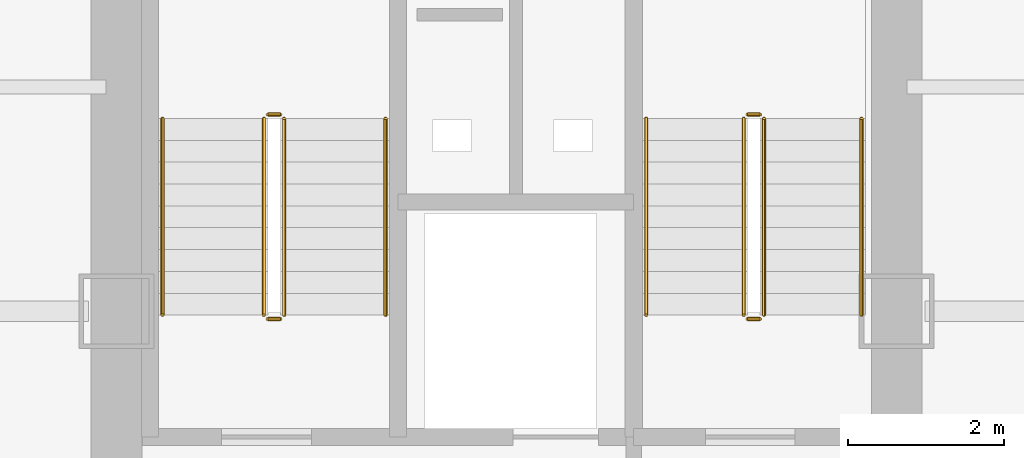
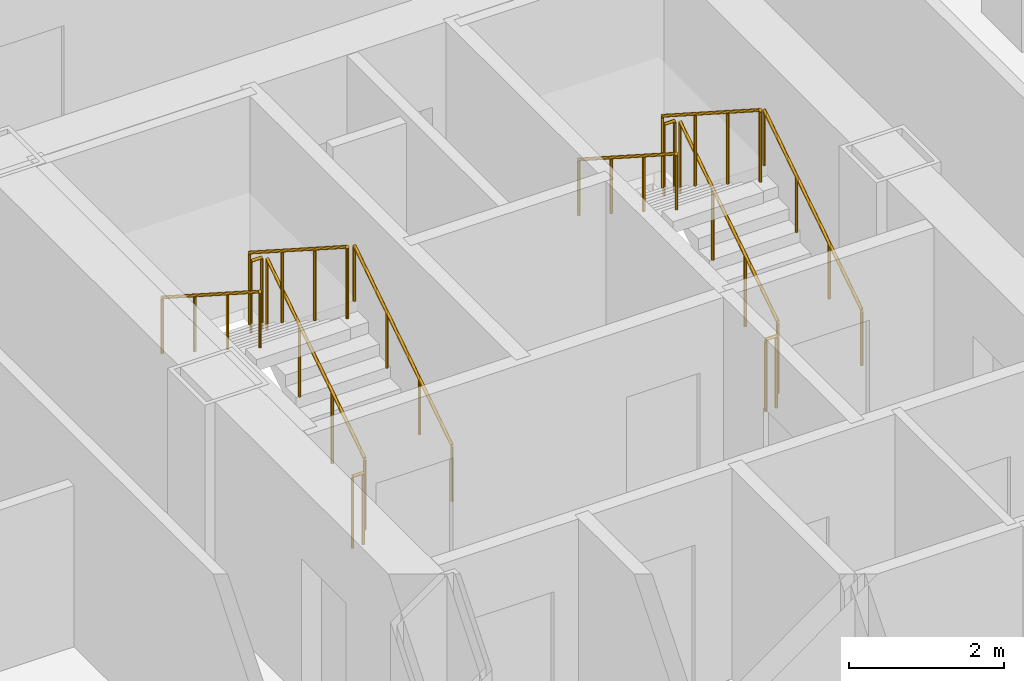
# One storey, part 20 of 21: 12 railings.
"""IFC4 building model written with IfcOpenShell, lengths in metres."""

import ifcopenshell
import ifcopenshell.guid

model = None  # the IFC model being written
_history = None  # IfcOwnerHistory: only IFC2X3 demands one
_inside = {}  # id of a spatial element -> (the spatial element, [elements in it])
_under = {}  # id of a project, library or spatial element -> (it, [spatial elements below it])
_declared = {}  # id of a project -> (the project, [libraries it declares])
_typed = {}  # id of a type object -> (the type object, [elements of that type])
_made_of = {}  # id of a material, layer set ... -> (it, [elements and type objects made of it])


def new_model(schema):
    """Start an empty IFC model of exactly this schema.

    Asked for "IFC4X3", IfcOpenShell would pick the latest addendum, in which some entities
    have other attributes; the version numbers below select the first issue.
    IFC2X3 requires an IfcOwnerHistory on every rooted entity: one is made here for all.
    """
    global model, _history
    if schema == "IFC4X3":
        model = ifcopenshell.file(schema_version=(4, 3, 0, 0))
    else:
        model = ifcopenshell.file(schema=schema)
    _inside.clear()
    _under.clear()
    _declared.clear()
    _typed.clear()
    _made_of.clear()
    _history = None
    if model.schema == "IFC2X3":
        org = make("IfcOrganization", Name="unknown")
        user = make(
            "IfcPersonAndOrganization",
            ThePerson=make("IfcPerson", FamilyName="unknown"),
            TheOrganization=org,
        )
        app = make(
            "IfcApplication",
            ApplicationDeveloper=org,
            Version="unknown",
            ApplicationFullName="unknown",
            ApplicationIdentifier="unknown",
        )
        _history = make(
            "IfcOwnerHistory",
            OwningUser=user,
            OwningApplication=app,
            ChangeAction="ADDED",
            CreationDate=0,
        )
    return model


def make(cls, **values):
    """One entity of the class cls with the attributes given. An attribute that is None is left unset."""
    return model.create_entity(
        cls, **{name: value for name, value in values.items() if value is not None}
    )


def rooted(cls, **values):
    """An entity with a GlobalId (a new one), such as an element, a storey or a relation."""
    return make(cls, GlobalId=ifcopenshell.guid.new(), OwnerHistory=_history, **values)


def si_unit(unit_type, name, prefix=None):
    """IfcSIUnit, for example si_unit("LENGTHUNIT", "METRE", prefix="MILLI")."""
    return make("IfcSIUnit", UnitType=unit_type, Prefix=prefix, Name=name)


def assignment(units):
    """IfcUnitAssignment: the units of a project."""
    return None if units is None else make("IfcUnitAssignment", Units=units)


def point(xyz):
    """IfcCartesianPoint."""
    return None if xyz is None else make("IfcCartesianPoint", Coordinates=xyz)


def direction(xyz):
    """IfcDirection."""
    return None if xyz is None else make("IfcDirection", DirectionRatios=xyz)


def frame(location, z_axis=None, x_axis=None):
    """IfcAxis2Placement3D, a coordinate frame: its origin and axes. An axis left out is left unset."""
    return make(
        "IfcAxis2Placement3D",
        Location=point(location),
        Axis=direction(z_axis),
        RefDirection=direction(x_axis),
    )


def frame_2d(location, x_axis=None):
    """IfcAxis2Placement2D, a coordinate frame in the plane: its origin and x axis."""
    return make(
        "IfcAxis2Placement2D", Location=point(location), RefDirection=direction(x_axis)
    )


def origin():
    """The frame at (0, 0, 0) with its axes left unset."""
    return frame((0.0, 0.0, 0.0))


def origin_2d():
    """The frame at (0, 0) in the plane with its x axis left unset."""
    return frame_2d((0.0, 0.0))


def place(relative_to, where):
    """IfcLocalPlacement: puts the frame where relative to a parent placement (None: the world)."""
    return make(
        "IfcLocalPlacement", PlacementRelTo=relative_to, RelativePlacement=where
    )


def context(
    kind, dimensions, precision=None, world=None, true_north=None, identifier=None
):
    """IfcGeometricRepresentationContext, for example the 3D "Model" context."""
    return make(
        "IfcGeometricRepresentationContext",
        ContextIdentifier=identifier,
        ContextType=kind,
        CoordinateSpaceDimension=dimensions,
        Precision=precision,
        WorldCoordinateSystem=world,
        TrueNorth=true_north,
    )


def subcontext(parent, identifier, kind, view, scale=None):
    """IfcGeometricRepresentationSubContext, for example "Body" below "Model"."""
    return make(
        "IfcGeometricRepresentationSubContext",
        ContextIdentifier=identifier,
        ContextType=kind,
        ParentContext=parent,
        TargetScale=scale,
        TargetView=view,
    )


def project(units=None, contexts=None):
    """IfcProject with its units and contexts."""
    return rooted(
        "IfcProject",
        Name="project",
        RepresentationContexts=contexts,
        UnitsInContext=assignment(units),
    )


def spatial(cls, under=None, at=None, **own):
    """A site, building, storey or space (cls), placed at a placement, below another one or the project."""
    s = rooted(cls, ObjectPlacement=at, **own)
    if under is not None:
        _under.setdefault(under.id(), (under, []))[1].append(s)
    return s


def profile(cls, at=None, kind="AREA", **sizes):
    """A parametric profile (cls). Its sizes go by their IFC names, for example OverallWidth=200.0."""
    return make(cls, ProfileType=kind, Position=at, **sizes)


def circle(**sizes):
    """IfcCircleProfileDef."""
    return profile("IfcCircleProfileDef", **sizes)


def extrude(swept, where, along, depth):
    """IfcExtrudedAreaSolid: the profile swept, set in the frame where, extruded along a direction by depth."""
    return make(
        "IfcExtrudedAreaSolid",
        SweptArea=swept,
        Position=where,
        ExtrudedDirection=direction(along),
        Depth=depth,
    )


def shape(context_of_items, identifier, shape_type, items):
    """IfcShapeRepresentation: the items that make up one representation, for example the "Body"."""
    return make(
        "IfcShapeRepresentation",
        ContextOfItems=context_of_items,
        RepresentationIdentifier=identifier,
        RepresentationType=shape_type,
        Items=items,
    )


def material(Name=None, Category=None):
    """IfcMaterial."""
    return make("IfcMaterial", Name=Name, Category=Category)


def made_of(thing, what):
    """Note that an element or type object is made of a material, layer set ...; save() writes the relation."""
    if what is not None:
        _made_of.setdefault(what.id(), (what, []))[1].append(thing)
    return thing


def type_object(cls, material=None, **own):
    """A type object (cls), such as IfcWallType, which elements share."""
    return made_of(rooted(cls, **own), material)


def element(
    cls,
    number,
    at=None,
    inside=None,
    cuts=None,
    type_object=None,
    material=None,
    context=None,
    identifier="Body",
    shape_type=None,
    held_by="IfcProductDefinitionShape",
    body=None,
    shapes=None,
    **own,
):
    """One element of the class cls, such as IfcWall. Its Tag is "e" and its number.

    at: its placement. inside: the storey or other place that contains it. cuts: it is an
    opening in that element (IfcRelVoidsElement). A single representation is given by context,
    identifier, shape_type and body (its items); several are given by shapes. held_by: the class
    of the entity that holds the representations. save() writes the other relations.
    """
    e = rooted(cls, Tag="e%d" % number, ObjectPlacement=at, **own)
    if body is not None:
        shapes = [shape(context, identifier, shape_type, body)]
    if shapes is not None:
        e.Representation = make(held_by, Representations=shapes)
    if inside is not None:
        _inside.setdefault(inside.id(), (inside, []))[1].append(e)
    if cuts is not None:
        rooted(
            "IfcRelVoidsElement", RelatingBuildingElement=cuts, RelatedOpeningElement=e
        )
    if type_object is not None:
        _typed.setdefault(type_object.id(), (type_object, []))[1].append(e)
    return made_of(e, material)


def aggregate(whole, parts):
    """IfcRelAggregates: a whole, such as a stair, and the parts it consists of."""
    return rooted("IfcRelAggregates", RelatingObject=whole, RelatedObjects=parts)


def save(model, path):
    """Write the relations noted so far, then the file.

    IfcRelAggregates (storeys below a building ...), IfcRelContainedInSpatialStructure (elements
    in a storey), IfcRelDefinesByType, IfcRelAssociatesMaterial and IfcRelDeclares: one each for
    every whole, place, type object, material and project.
    """
    for whole, parts in _under.values():
        aggregate(whole, parts)
    for where, things in _inside.values():
        rooted(
            "IfcRelContainedInSpatialStructure",
            RelatedElements=things,
            RelatingStructure=where,
        )
    for kind, things in _typed.values():
        rooted("IfcRelDefinesByType", RelatedObjects=things, RelatingType=kind)
    for what, things in _made_of.values():
        rooted("IfcRelAssociatesMaterial", RelatedObjects=things, RelatingMaterial=what)
    for by, libraries in _declared.values():
        rooted("IfcRelDeclares", RelatingContext=by, RelatedDefinitions=libraries)
    model.write(path)


model = new_model("IFC4")

# Units and contexts
model_context = context("Model", 3, precision=1e-05, world=origin(), true_north=direction((0.0, 1.0)))
body_context = subcontext(model_context, "Body", "Model", "MODEL_VIEW")
ifc_project = project(units=[si_unit("LENGTHUNIT", "METRE"), si_unit("AREAUNIT", "SQUARE_METRE"), si_unit("VOLUMEUNIT", "CUBIC_METRE"), si_unit("PLANEANGLEUNIT", "RADIAN"), si_unit("MASSUNIT", "GRAM", prefix="KILO")], contexts=[model_context])

# Site, building, storey
site_placement = place(None, origin())
site = spatial("IfcSite", under=ifc_project, at=site_placement, CompositionType="ELEMENT")
building_placement = place(site_placement, origin())
building = spatial("IfcBuilding", under=site, at=building_placement, Name="Kolveth Station Tower", CompositionType="ELEMENT")
storey_placement = place(building_placement, frame((0.0, 0.0, 33.300048828125)))
storey = spatial("IfcBuildingStorey", under=building, at=storey_placement, Name="L08", CompositionType="ELEMENT", Elevation=33.300048828125)

# Railings
ifc_material_1 = material(Name="Painted Steel S355 balustrade", Category="steel")
railing_type_1 = type_object("IfcRailingType", Name="Guard_GR2", PredefinedType="BALUSTRADE", material=ifc_material_1)
railing_1_placement = place(storey_placement, frame((20.64990234375, 22.949951171875, 0.179931640625)))
element("IfcRailing", 1, at=railing_1_placement, inside=storey, type_object=railing_type_1, Name="L08 ST1 stair guard 1", PredefinedType="BALUSTRADE", context=body_context, shape_type="SweptSolid", body=[
    extrude(circle(Radius=0.02392578125, at=origin_2d()), frame((0.0, 0.0, 1.1259765625), z_axis=(0.0, 0.841162588446, 0.540782303519), x_axis=(-1.0, 0.0, 0.0)), (0.0, 0.0, 1.0), 2.995849609375),
    extrude(circle(Radius=0.02099609375, at=origin_2d()), origin(), (0.0, 0.0, 1.0), 1.101806640625),
    extrude(circle(Radius=0.02099609375, at=origin_2d()), frame((0.0, 0.840087890625, 0.5400390625)), (0.0, 0.0, 1.0), 1.101806640625),
    extrude(circle(Radius=0.02099609375, at=origin_2d()), frame((0.0, 1.679931640625, 1.080078125)), (0.0, 0.0, 1.0), 1.101806640625),
    extrude(circle(Radius=0.02099609375, at=origin_2d()), frame((0.0, 2.52001953125, 1.6201171875)), (0.0, 0.0, 1.0), 1.101806640625),
])
railing_2_placement = place(storey_placement, frame((20.60009765625, 25.52001953125, 1.800048828125)))
element("IfcRailing", 2, at=railing_2_placement, inside=storey, type_object=railing_type_1, Name="L08 ST1 stair guard 2", PredefinedType="BALUSTRADE", context=body_context, shape_type="SweptSolid", body=[
    extrude(circle(Radius=0.02392578125, at=origin_2d()), frame((0.0, 0.0, 1.1259765625), z_axis=(-1.0, 0.0, 0.0), x_axis=(0.0, -1.0, 0.0)), (0.0, 0.0, 1.0), 0.16015625),
    extrude(circle(Radius=0.02099609375, at=origin_2d()), origin(), (0.0, 0.0, 1.0), 1.101806640625),
    extrude(circle(Radius=0.02099609375, at=origin_2d()), frame((-0.16015625, 0.0, 0.0)), (0.0, 0.0, 1.0), 1.101806640625),
])
railing_3_placement = place(storey_placement, frame((20.389892578125, 25.469970703125, 1.97998046875)))
element("IfcRailing", 3, at=railing_3_placement, inside=storey, type_object=railing_type_1, Name="L08 ST1 stair guard 3", PredefinedType="BALUSTRADE", context=body_context, shape_type="SweptSolid", body=[
    extrude(circle(Radius=0.02392578125, at=origin_2d()), frame((0.0, 0.0, 1.1259765625), z_axis=(0.0, -0.841199657755, 0.540724639528), x_axis=(1.0, 0.0, 0.0)), (0.0, 0.0, 1.0), 2.995849609375),
    extrude(circle(Radius=0.02099609375, at=origin_2d()), origin(), (0.0, 0.0, 1.0), 1.101806640625),
    extrude(circle(Radius=0.02099609375, at=origin_2d()), frame((0.0, -0.840087890625, 0.5400390625)), (0.0, 0.0, 1.0), 1.101806640625),
    extrude(circle(Radius=0.02099609375, at=origin_2d()), frame((0.0, -1.679931640625, 1.079833984375)), (0.0, 0.0, 1.0), 1.101806640625),
    extrude(circle(Radius=0.02099609375, at=origin_2d()), frame((0.0, -2.52001953125, 1.619873046875)), (0.0, 0.0, 1.0), 1.101806640625),
])
railing_4_placement = place(storey_placement, frame((20.60009765625, 22.89990234375, 0.0)))
element("IfcRailing", 4, at=railing_4_placement, inside=storey, type_object=railing_type_1, Name="L08 ST1 stair guard 4", PredefinedType="BALUSTRADE", context=body_context, shape_type="SweptSolid", body=[
    extrude(circle(Radius=0.02392578125, at=origin_2d()), frame((0.0, 0.0, 1.1259765625), z_axis=(-1.0, 0.0, 0.0), x_axis=(0.0, -1.0, 0.0)), (0.0, 0.0, 1.0), 0.16015625),
    extrude(circle(Radius=0.02099609375, at=origin_2d()), origin(), (0.0, 0.0, 1.0), 1.101806640625),
    extrude(circle(Radius=0.02099609375, at=origin_2d()), frame((-0.16015625, 0.0, 0.0)), (0.0, 0.0, 1.0), 1.101806640625),
])
railing_5_placement = place(storey_placement, frame((26.800048828125, 22.949951171875, 0.179931640625)))
element("IfcRailing", 5, at=railing_5_placement, inside=storey, type_object=railing_type_1, Name="L08 ST2 stair guard 1", PredefinedType="BALUSTRADE", context=body_context, shape_type="SweptSolid", body=[
    extrude(circle(Radius=0.02392578125, at=origin_2d()), frame((0.0, 0.0, 1.1259765625), z_axis=(0.0, 0.841162588446, 0.540782303519), x_axis=(-1.0, 0.0, 0.0)), (0.0, 0.0, 1.0), 2.995849609375),
    extrude(circle(Radius=0.02099609375, at=origin_2d()), origin(), (0.0, 0.0, 1.0), 1.101806640625),
    extrude(circle(Radius=0.02099609375, at=origin_2d()), frame((0.0, 0.840087890625, 0.5400390625)), (0.0, 0.0, 1.0), 1.101806640625),
    extrude(circle(Radius=0.02099609375, at=origin_2d()), frame((0.0, 1.679931640625, 1.080078125)), (0.0, 0.0, 1.0), 1.101806640625),
    extrude(circle(Radius=0.02099609375, at=origin_2d()), frame((0.0, 2.52001953125, 1.6201171875)), (0.0, 0.0, 1.0), 1.101806640625),
])
railing_6_placement = place(storey_placement, frame((26.75, 25.52001953125, 1.800048828125)))
element("IfcRailing", 6, at=railing_6_placement, inside=storey, type_object=railing_type_1, Name="L08 ST2 stair guard 2", PredefinedType="BALUSTRADE", context=body_context, shape_type="SweptSolid", body=[
    extrude(circle(Radius=0.02392578125, at=origin_2d()), frame((0.0, 0.0, 1.1259765625), z_axis=(-1.0, 0.0, 0.0), x_axis=(0.0, -1.0, 0.0)), (0.0, 0.0, 1.0), 0.159912109375),
    extrude(circle(Radius=0.02099609375, at=origin_2d()), origin(), (0.0, 0.0, 1.0), 1.101806640625),
    extrude(circle(Radius=0.02099609375, at=origin_2d()), frame((-0.159912109375, 0.0, 0.0)), (0.0, 0.0, 1.0), 1.101806640625),
])
railing_7_placement = place(storey_placement, frame((26.5400390625, 25.469970703125, 1.97998046875)))
element("IfcRailing", 7, at=railing_7_placement, inside=storey, type_object=railing_type_1, Name="L08 ST2 stair guard 3", PredefinedType="BALUSTRADE", context=body_context, shape_type="SweptSolid", body=[
    extrude(circle(Radius=0.02392578125, at=origin_2d()), frame((0.0, 0.0, 1.1259765625), z_axis=(0.0, -0.841199657755, 0.540724639528), x_axis=(1.0, 0.0, 0.0)), (0.0, 0.0, 1.0), 2.995849609375),
    extrude(circle(Radius=0.02099609375, at=origin_2d()), origin(), (0.0, 0.0, 1.0), 1.101806640625),
    extrude(circle(Radius=0.02099609375, at=origin_2d()), frame((0.0, -0.840087890625, 0.5400390625)), (0.0, 0.0, 1.0), 1.101806640625),
    extrude(circle(Radius=0.02099609375, at=origin_2d()), frame((0.0, -1.679931640625, 1.079833984375)), (0.0, 0.0, 1.0), 1.101806640625),
    extrude(circle(Radius=0.02099609375, at=origin_2d()), frame((0.0, -2.52001953125, 1.619873046875)), (0.0, 0.0, 1.0), 1.101806640625),
])
railing_8_placement = place(storey_placement, frame((26.75, 22.89990234375, 0.0)))
element("IfcRailing", 8, at=railing_8_placement, inside=storey, type_object=railing_type_1, Name="L08 ST2 stair guard 4", PredefinedType="BALUSTRADE", context=body_context, shape_type="SweptSolid", body=[
    extrude(circle(Radius=0.02392578125, at=origin_2d()), frame((0.0, 0.0, 1.1259765625), z_axis=(-1.0, 0.0, 0.0), x_axis=(0.0, -1.0, 0.0)), (0.0, 0.0, 1.0), 0.159912109375),
    extrude(circle(Radius=0.02099609375, at=origin_2d()), origin(), (0.0, 0.0, 1.0), 1.101806640625),
    extrude(circle(Radius=0.02099609375, at=origin_2d()), frame((-0.159912109375, 0.0, 0.0)), (0.0, 0.0, 1.0), 1.101806640625),
])
ifc_material_2 = material(Name="Brushed stainless steel", Category="steel")
railing_type_2 = type_object("IfcRailingType", Name="Handrail_HR1", PredefinedType="HANDRAIL", material=ifc_material_2)
railing_9_placement = place(storey_placement, frame((21.949951171875, 22.949951171875, 0.179931640625)))
element("IfcRailing", 9, at=railing_9_placement, inside=storey, type_object=railing_type_2, Name="L08 ST1 stair handrail 1", PredefinedType="HANDRAIL", context=body_context, shape_type="SweptSolid", body=[
    extrude(circle(Radius=0.02392578125, at=origin_2d()), frame((0.0, 0.0, 0.8759765625), z_axis=(0.0, 0.841162588446, 0.540782303519), x_axis=(-1.0, 0.0, 0.0)), (0.0, 0.0, 1.0), 2.995849609375),
    extrude(circle(Radius=0.02099609375, at=origin_2d()), origin(), (0.0, 0.0, 1.0), 0.851806640625),
    extrude(circle(Radius=0.02099609375, at=origin_2d()), frame((0.0, 0.840087890625, 0.5400390625)), (0.0, 0.0, 1.0), 0.851806640625),
    extrude(circle(Radius=0.02099609375, at=origin_2d()), frame((0.0, 1.679931640625, 1.080078125)), (0.0, 0.0, 1.0), 0.851806640625),
    extrude(circle(Radius=0.02099609375, at=origin_2d()), frame((0.0, 2.52001953125, 1.6201171875)), (0.0, 0.0, 1.0), 0.851806640625),
])
railing_10_placement = place(storey_placement, frame((19.090087890625, 25.469970703125, 1.97998046875)))
element("IfcRailing", 10, at=railing_10_placement, inside=storey, type_object=railing_type_2, Name="L08 ST1 stair handrail 2", PredefinedType="HANDRAIL", context=body_context, shape_type="SweptSolid", body=[
    extrude(circle(Radius=0.02392578125, at=origin_2d()), frame((0.0, 0.0, 0.8759765625), z_axis=(0.0, -0.841199657755, 0.540724639528), x_axis=(1.0, 0.0, 0.0)), (0.0, 0.0, 1.0), 2.995849609375),
    extrude(circle(Radius=0.02099609375, at=origin_2d()), origin(), (0.0, 0.0, 1.0), 0.851806640625),
    extrude(circle(Radius=0.02099609375, at=origin_2d()), frame((0.0, -0.840087890625, 0.5400390625)), (0.0, 0.0, 1.0), 0.851806640625),
    extrude(circle(Radius=0.02099609375, at=origin_2d()), frame((0.0, -1.679931640625, 1.079833984375)), (0.0, 0.0, 1.0), 0.851806640625),
    extrude(circle(Radius=0.02099609375, at=origin_2d()), frame((0.0, -2.52001953125, 1.619873046875)), (0.0, 0.0, 1.0), 0.851806640625),
])
railing_11_placement = place(storey_placement, frame((28.050048828125, 22.949951171875, 0.179931640625)))
element("IfcRailing", 11, at=railing_11_placement, inside=storey, type_object=railing_type_2, Name="L08 ST2 stair handrail 1", PredefinedType="HANDRAIL", context=body_context, shape_type="SweptSolid", body=[
    extrude(circle(Radius=0.02392578125, at=origin_2d()), frame((0.0, 0.0, 0.8759765625), z_axis=(0.0, 0.841162588446, 0.540782303519), x_axis=(-1.0, 0.0, 0.0)), (0.0, 0.0, 1.0), 2.995849609375),
    extrude(circle(Radius=0.02099609375, at=origin_2d()), origin(), (0.0, 0.0, 1.0), 0.851806640625),
    extrude(circle(Radius=0.02099609375, at=origin_2d()), frame((0.0, 0.840087890625, 0.5400390625)), (0.0, 0.0, 1.0), 0.851806640625),
    extrude(circle(Radius=0.02099609375, at=origin_2d()), frame((0.0, 1.679931640625, 1.080078125)), (0.0, 0.0, 1.0), 0.851806640625),
    extrude(circle(Radius=0.02099609375, at=origin_2d()), frame((0.0, 2.52001953125, 1.6201171875)), (0.0, 0.0, 1.0), 0.851806640625),
])
railing_12_placement = place(storey_placement, frame((25.2900390625, 25.469970703125, 1.97998046875)))
element("IfcRailing", 12, at=railing_12_placement, inside=storey, type_object=railing_type_2, Name="L08 ST2 stair handrail 2", PredefinedType="HANDRAIL", context=body_context, shape_type="SweptSolid", body=[
    extrude(circle(Radius=0.02392578125, at=origin_2d()), frame((0.0, 0.0, 0.8759765625), z_axis=(0.0, -0.841199657755, 0.540724639528), x_axis=(1.0, 0.0, 0.0)), (0.0, 0.0, 1.0), 2.995849609375),
    extrude(circle(Radius=0.02099609375, at=origin_2d()), origin(), (0.0, 0.0, 1.0), 0.851806640625),
    extrude(circle(Radius=0.02099609375, at=origin_2d()), frame((0.0, -0.840087890625, 0.5400390625)), (0.0, 0.0, 1.0), 0.851806640625),
    extrude(circle(Radius=0.02099609375, at=origin_2d()), frame((0.0, -1.679931640625, 1.079833984375)), (0.0, 0.0, 1.0), 0.851806640625),
    extrude(circle(Radius=0.02099609375, at=origin_2d()), frame((0.0, -2.52001953125, 1.619873046875)), (0.0, 0.0, 1.0), 0.851806640625),
])

save(model, "model.ifc")
